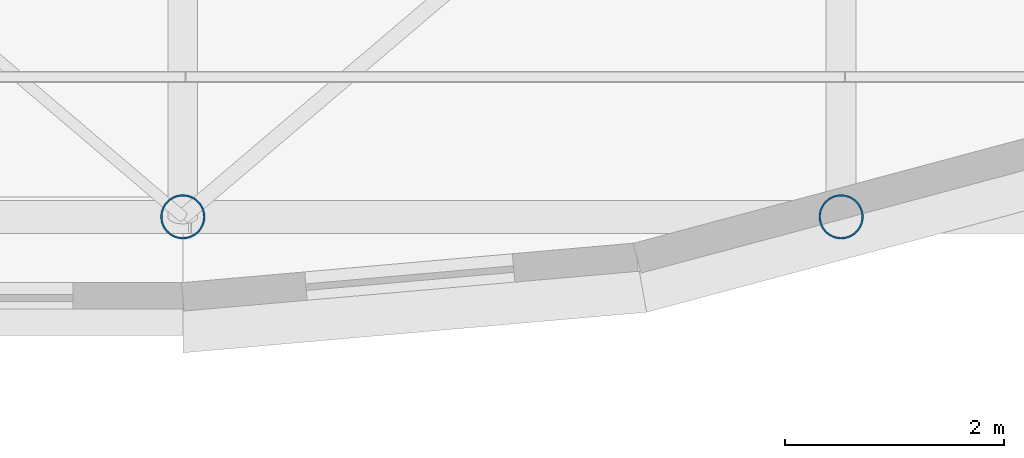
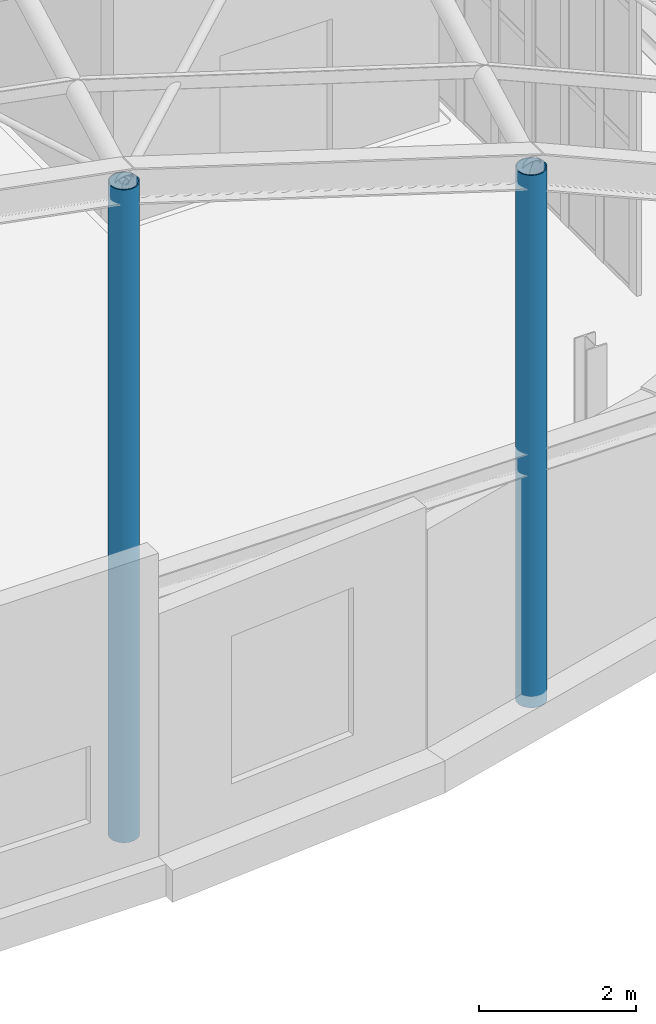
# One storey, part 6 of 75: 2 columns.
"""IFC4 building model written with IfcOpenShell, lengths in metres."""

from ifc_helpers import new_model, si_unit, direction, frame, origin, origin_2d, place, context, subcontext, project, spatial, hollow_circle, extrude, material, material_profile, profile_set, type_object, element, save


model = new_model("IFC4")

# Units and contexts
model_context = context("Model", 3, precision=1e-05, world=origin(), true_north=direction((0.0, 1.0)))
body_context = subcontext(model_context, "Body", "Model", "MODEL_VIEW")
ifc_project = project(units=[si_unit("LENGTHUNIT", "METRE"), si_unit("AREAUNIT", "SQUARE_METRE"), si_unit("VOLUMEUNIT", "CUBIC_METRE"), si_unit("PLANEANGLEUNIT", "RADIAN"), si_unit("MASSUNIT", "GRAM", prefix="KILO")], contexts=[model_context])

# Site, building, storey
site_placement = place(None, origin())
site = spatial("IfcSite", under=ifc_project, at=site_placement, CompositionType="ELEMENT")
building_placement = place(site_placement, origin())
building = spatial("IfcBuilding", under=site, at=building_placement, Name="Kolvaren Corner Interchange", CompositionType="ELEMENT")
storey_placement = place(building_placement, frame((0.0, 0.0, 10.5)))
storey = spatial("IfcBuildingStorey", under=building, at=storey_placement, Name="L03", CompositionType="ELEMENT", Elevation=10.5)

# Columns
ifc_material = material(Name="Steel S355", Category="steel")
ifc_material_profile = material_profile(ifc_material, hollow_circle(Radius=0.203125, WallThickness=0.01611328125, at=origin_2d()), Name="CHS 406.4x16.0")
ifc_profile_set = profile_set([ifc_material_profile], Name="Steel S355")
column_type = type_object("IfcColumnType", Name="COL-CHS406", PredefinedType="COLUMN", material=ifc_profile_set)
column_1_placement = place(storey_placement, frame((120.0, 24.89990234375, 0.0), z_axis=(0.0, 0.0, 1.0), x_axis=(1.0, 0.0, 0.0)))
element("IfcColumn", 1, at=column_1_placement, inside=storey, type_object=column_type, Name="Storey L03 Structural Column 0666", PredefinedType="COLUMN", context=body_context, shape_type="SweptSolid", body=[
    extrude(hollow_circle(Radius=0.203125, WallThickness=0.01611328125, at=origin_2d()), origin(), (0.0, 0.0, 1.0), 10.1650390625),
])
column_2_placement = place(storey_placement, frame((126.0, 24.89990234375, 0.0), z_axis=(0.0, 0.0, 1.0), x_axis=(1.0, 0.0, 0.0)))
element("IfcColumn", 2, at=column_2_placement, inside=storey, type_object=column_type, Name="Storey L03 Structural Column 0733", PredefinedType="COLUMN", context=body_context, shape_type="SweptSolid", body=[
    extrude(hollow_circle(Radius=0.203125, WallThickness=0.01611328125, at=origin_2d()), origin(), (0.0, 0.0, 1.0), 8.2900390625),
])

save(model, "model.ifc")
